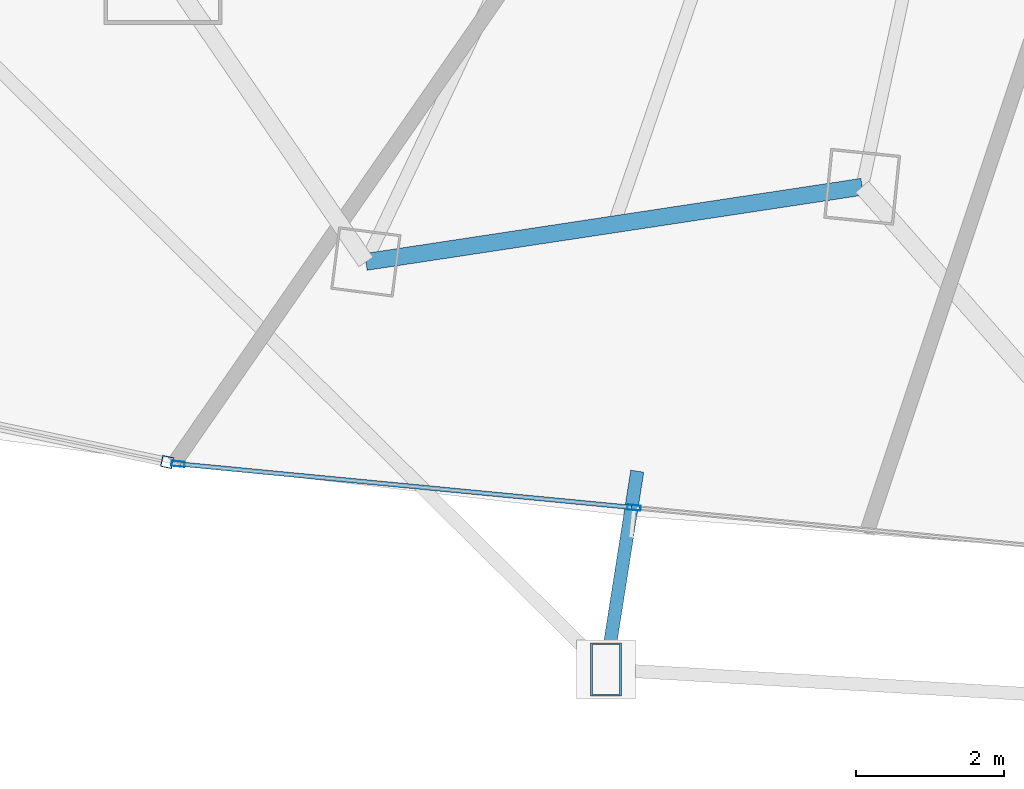
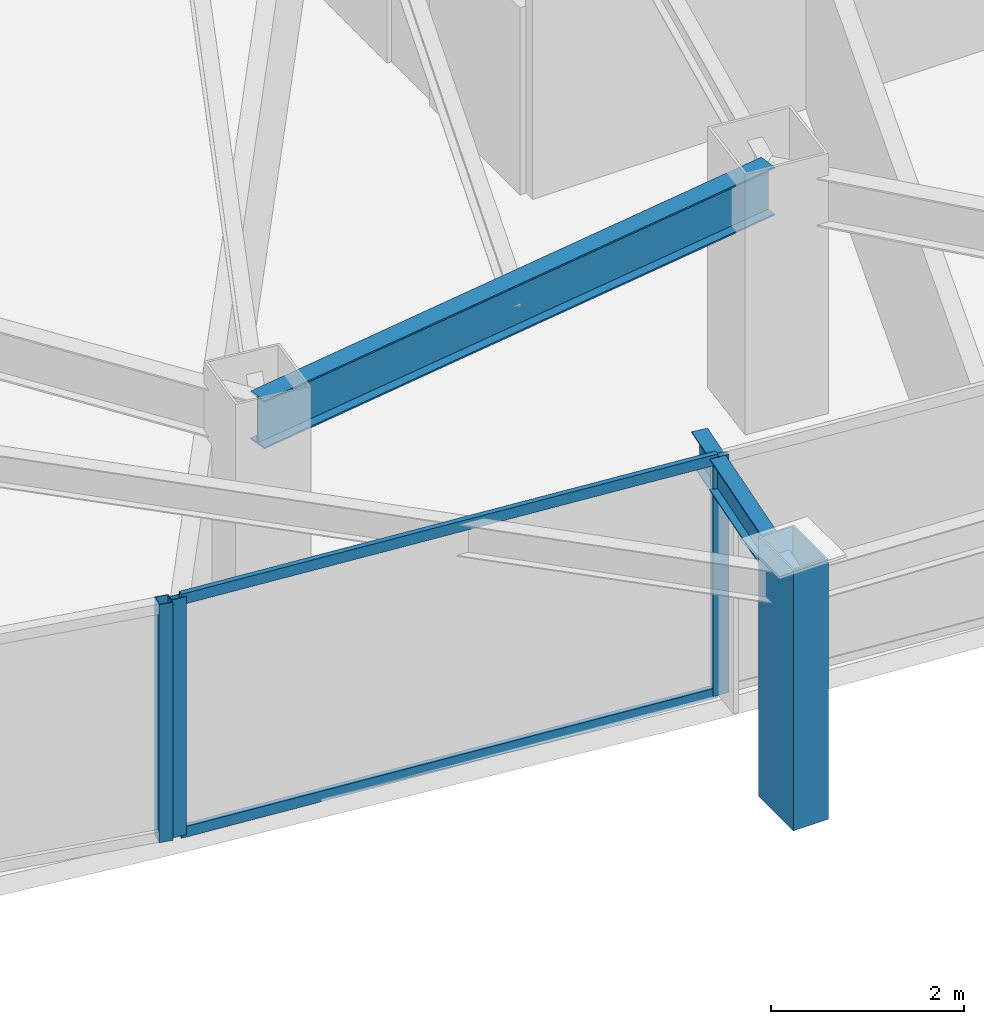
# One storey, part 4 of 33: 6 members, 2 beams, 2 elements without a shape of their own.
"""IFC4 building model written with IfcOpenShell, lengths in metres."""

from ifc_helpers import new_model, si_unit, direction, frame, origin, origin_2d, place, context, subcontext, project, spatial, hollow_rectangle, i_section, extrude, material, layer, layer_set, material_profile, profile_set, type_object, element, aggregate, save


model = new_model("IFC4")

# Units and contexts
model_context = context("Model", 3, precision=1e-05, world=origin(), true_north=direction((0.0, 1.0)))
body_context = subcontext(model_context, "Body", "Model", "MODEL_VIEW")
ifc_project = project(units=[si_unit("LENGTHUNIT", "METRE"), si_unit("AREAUNIT", "SQUARE_METRE"), si_unit("VOLUMEUNIT", "CUBIC_METRE"), si_unit("PLANEANGLEUNIT", "RADIAN"), si_unit("MASSUNIT", "GRAM", prefix="KILO")], contexts=[model_context])

# Site, building, storey
site_placement = place(None, origin())
site = spatial("IfcSite", under=ifc_project, at=site_placement, CompositionType="ELEMENT")
building_placement = place(site_placement, origin())
building = spatial("IfcBuilding", under=site, at=building_placement, Name="Orvanel Arch Residences", CompositionType="ELEMENT")
storey_placement = place(building_placement, frame((0.0, 0.0, 93.949951171875)))
storey = spatial("IfcBuildingStorey", under=building, at=storey_placement, Name="L26", CompositionType="ELEMENT", Elevation=93.949951171875)

# Member
ifc_material_1 = material(Name="Structural steel AS/NZS 3678 Grade 350", Category="steel")
ifc_material_profile_1 = material_profile(ifc_material_1, hollow_rectangle(XDim=0.419921875, YDim=0.719970703125, WallThickness=0.02490234375, at=origin_2d()), Name="RHS720x420x25")
ifc_profile_set_1 = profile_set([ifc_material_profile_1], Name="Structural steel AS/NZS 3678 Grade 350")
member_type_1 = type_object("IfcMemberType", Name="CH-720RHS-EXT", PredefinedType="CHORD", material=ifc_profile_set_1)
member_1_placement = place(storey_placement, frame((20.18701171875, 0.830078125, 0.0), z_axis=(0.0, 0.0, 1.0), x_axis=(1.0, 0.0, 0.0)))
element("IfcMember", 1, at=member_1_placement, inside=storey, type_object=member_type_1, Name="L26 Outer Perimeter Frame Post 05", PredefinedType="CHORD", context=body_context, shape_type="SweptSolid", body=[
    extrude(hollow_rectangle(XDim=0.419921875, YDim=0.719970703125, WallThickness=0.02490234375, at=origin_2d()), origin(), (0.0, 0.0, 1.0), 3.300048828125),
])

# Curtain wall, member
ifc_material_2 = material(Name="Bronze-anodised aluminium AA6063-T6", Category="aluminium")
ifc_layer_1 = layer(ifc_material_2, 0.18994140625)
ifc_layer_set_1 = layer_set([ifc_layer_1], Name="Bronze-anodised aluminium AA6063-T6")
curtain_wall_type_1 = type_object("IfcCurtainWallType", Name="CW5-CRN-SYS", PredefinedType="NOTDEFINED", material=ifc_layer_set_1)
curtain_wall_1_placement = place(storey_placement, origin())
curtain_wall_1 = element("IfcCurtainWall", 2, at=curtain_wall_1_placement, inside=storey, type_object=curtain_wall_type_1, Name="L26 CW5-CRN-SYS Unitised Curtain Wall", PredefinedType="NOTDEFINED")
ifc_material_profile_2 = material_profile(ifc_material_2, hollow_rectangle(XDim=0.14990234375, YDim=0.14990234375, WallThickness=0.0048828125, at=origin_2d()), Name="ALU150x150x5")
ifc_profile_set_2 = profile_set([ifc_material_profile_2], Name="Bronze-anodised aluminium AA6063-T6")
member_type_2 = type_object("IfcMemberType", Name="MUL-150x150", PredefinedType="MULLION", material=ifc_profile_set_2)
member_2_placement = place(storey_placement, frame((14.254638671875, 3.63427734375, 0.0), z_axis=(0.0, 0.0, 1.0), x_axis=(0.205293352027, 0.97870048514, 0.0)))
member_2 = element("IfcMember", 3, at=member_2_placement, type_object=member_type_2, Name="CW-S5 mullion 3", PredefinedType="MULLION", context=body_context, shape_type="SweptSolid", body=[
    extrude(hollow_rectangle(XDim=0.14990234375, YDim=0.14990234375, WallThickness=0.0048828125, at=origin_2d()), origin(), (0.0, 0.0, 1.0), 3.02001953125),
])
aggregate(curtain_wall_1, [member_2])

# Curtain wall, members
ifc_layer_2 = layer(ifc_material_2, 0.179931640625)
ifc_layer_set_2 = layer_set([ifc_layer_2], Name="Bronze-anodised aluminium AA6063-T6")
curtain_wall_type_2 = type_object("IfcCurtainWallType", Name="CW2-LOW-SYS", PredefinedType="NOTDEFINED", material=ifc_layer_set_2)
curtain_wall_2_placement = place(storey_placement, origin())
curtain_wall_2 = element("IfcCurtainWall", 4, at=curtain_wall_2_placement, inside=storey, type_object=curtain_wall_type_2, Name="L26 CW2-LOW-SYS Unitised Curtain Wall", PredefinedType="NOTDEFINED")
ifc_material_profile_3 = material_profile(ifc_material_2, hollow_rectangle(XDim=0.070068359375, YDim=0.179931640625, WallThickness=0.00439453125, at=origin_2d()), Name="ALU180x70x4.5")
ifc_profile_set_3 = profile_set([ifc_material_profile_3], Name="Bronze-anodised aluminium AA6063-T6")
member_type_3 = type_object("IfcMemberType", Name="MUL-180x70", PredefinedType="MULLION", material=ifc_profile_set_3)
member_3_placement = place(storey_placement, frame((14.40283203125, 3.609619140625, 0.0), z_axis=(0.0, 0.0, 1.0), x_axis=(0.095487456477, 0.995430633272, 0.0)))
member_3 = element("IfcMember", 5, at=member_3_placement, type_object=member_type_3, Name="CW-S2 mullion 1", PredefinedType="MULLION", context=body_context, shape_type="SweptSolid", body=[
    extrude(hollow_rectangle(XDim=0.070068359375, YDim=0.179931640625, WallThickness=0.00439453125, at=origin_2d()), origin(), (0.0, 0.0, 1.0), 3.02001953125),
])
member_4_placement = place(storey_placement, frame((20.5654296875, 3.0185546875, 0.0), z_axis=(0.0, 0.0, 1.0), x_axis=(0.095487456477, 0.995430633272, 0.0)))
member_4 = element("IfcMember", 6, at=member_4_placement, type_object=member_type_3, Name="CW-S2 mullion 2", PredefinedType="MULLION", context=body_context, shape_type="SweptSolid", body=[
    extrude(hollow_rectangle(XDim=0.070068359375, YDim=0.179931640625, WallThickness=0.00439453125, at=origin_2d()), origin(), (0.0, 0.0, 1.0), 3.02001953125),
])

# Beams
ifc_material_3 = material(Name="Structural steel AS/NZS 3679.1 Grade 300 (300 MPa)", Category="steel")
ifc_material_profile_4 = material_profile(ifc_material_3, i_section(OverallWidth=0.177978515625, OverallDepth=0.406005859375, WebThickness=0.0078125, FlangeThickness=0.0126953125, at=origin_2d()), Name="410UB59.7")
ifc_profile_set_4 = profile_set([ifc_material_profile_4], Name="Structural steel AS/NZS 3679.1 Grade 300 (300 MPa)")
beam_type_1 = type_object("IfcBeamType", Name="OB-410UB-EXT", PredefinedType="SPANDREL", material=ifc_profile_set_4)
beam_1_placement = place(storey_placement, frame((20.60888671875, 3.510986328125, 2.817138671875), z_axis=(-0.155449784073, -0.987843795664, 0.0), x_axis=(0.987843795664, -0.155449784073, 0.0)))
element("IfcBeam", 7, at=beam_1_placement, inside=storey, type_object=beam_type_1, Name="L26 Outer Frame Radial Tie Beam 05", PredefinedType="SPANDREL", context=body_context, shape_type="SweptSolid", body=[
    extrude(i_section(OverallWidth=0.177978515625, OverallDepth=0.406005859375, WebThickness=0.0078125, FlangeThickness=0.0126953125, at=origin_2d()), origin(), (0.0, 0.0, 1.0), 2.7138671875),
])
ifc_material_profile_5 = material_profile(ifc_material_3, i_section(OverallWidth=0.22900390625, OverallDepth=0.612060546875, WebThickness=0.011962890625, FlangeThickness=0.01953125, at=origin_2d()), Name="610UB125")
ifc_profile_set_5 = profile_set([ifc_material_profile_5], Name="Structural steel AS/NZS 3679.1 Grade 300 (300 MPa)")
beam_type_2 = type_object("IfcBeamType", Name="SP-610UB", PredefinedType="SPANDREL", material=ifc_profile_set_5)
beam_2_placement = place(storey_placement, frame((16.94091796875, 6.339111328125, 2.714111328125), z_axis=(0.988726323014, 0.149733958002, 0.0), x_axis=(-0.149733958002, 0.988726323014, 0.0)))
element("IfcBeam", 8, at=beam_2_placement, inside=storey, type_object=beam_type_2, Name="L26 Perimeter Spandrel Beam 04", PredefinedType="SPANDREL", context=body_context, shape_type="SweptSolid", body=[
    extrude(i_section(OverallWidth=0.22900390625, OverallDepth=0.612060546875, WebThickness=0.011962890625, FlangeThickness=0.01953125, at=origin_2d()), origin(), (0.0, 0.0, 1.0), 6.784423828125),
])

# Member
ifc_material_profile_6 = material_profile(ifc_material_2, hollow_rectangle(XDim=0.06005859375, YDim=0.135009765625, WallThickness=0.00390625, at=origin_2d()), Name="ALU135x60x4")
ifc_profile_set_6 = profile_set([ifc_material_profile_6], Name="Bronze-anodised aluminium AA6063-T6")
member_type_4 = type_object("IfcMemberType", Name="TRN-135x60", PredefinedType="USERDEFINED", material=ifc_profile_set_6)
member_5_placement = place(storey_placement, frame((14.437744140625, 3.606201171875, 0.030029296875), z_axis=(0.995430707597, -0.095486681652, 0.0), x_axis=(0.095486681652, 0.995430707597, 0.0)))
member_5 = element("IfcMember", 9, at=member_5_placement, type_object=member_type_4, Name="CW-S2 transom 1.1", ObjectType="TRANSOM", PredefinedType="USERDEFINED", context=body_context, shape_type="SweptSolid", body=[
    extrude(hollow_rectangle(XDim=0.06005859375, YDim=0.135009765625, WallThickness=0.00390625, at=origin_2d()), origin(), (0.0, 0.0, 1.0), 6.12109375),
])

member_6_placement = place(storey_placement, frame((14.437744140625, 3.606201171875, 2.989990234375), z_axis=(0.995430707597, -0.095486681652, 0.0), x_axis=(0.095486681652, 0.995430707597, 0.0)))
member_6 = element("IfcMember", 10, at=member_6_placement, type_object=member_type_4, Name="CW-S2 transom 1.2", ObjectType="TRANSOM", PredefinedType="USERDEFINED", context=body_context, shape_type="SweptSolid", body=[
    extrude(hollow_rectangle(XDim=0.06005859375, YDim=0.135009765625, WallThickness=0.00390625, at=origin_2d()), origin(), (0.0, 0.0, 1.0), 6.12109375),
])

aggregate(curtain_wall_2, [member_3, member_4, member_5, member_6])

save(model, "model.ifc")
